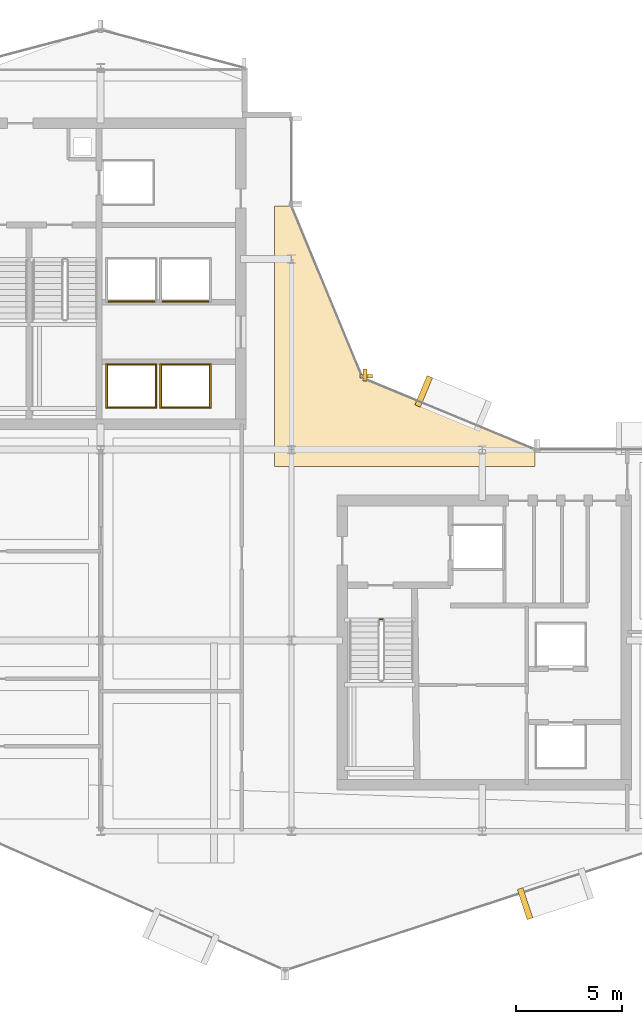
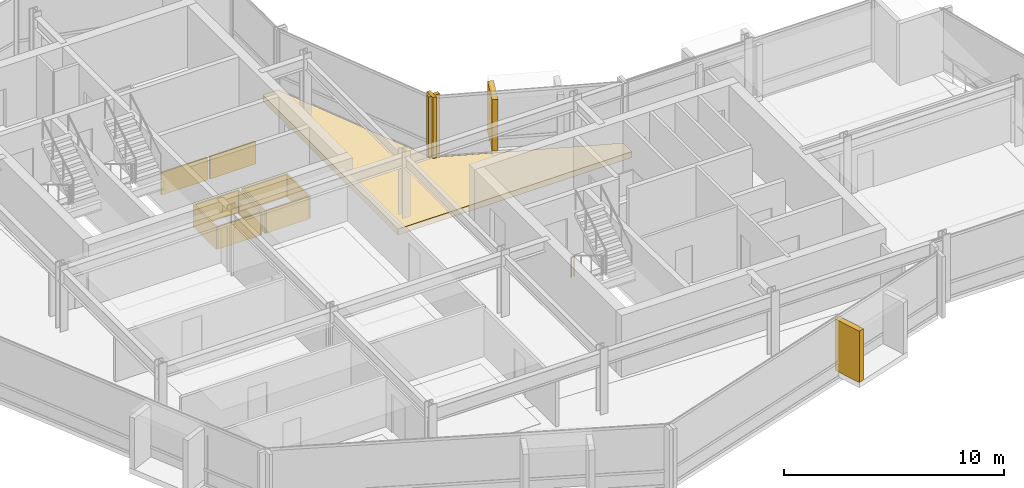
# One storey, part 25 of 27: 15 coverings, 1 railing.
"""IFC4 building model written with IfcOpenShell, lengths in metres."""

from ifc_helpers import new_model, si_unit, direction, frame, origin, origin_2d, place, context, subcontext, project, spatial, polyline, rectangle, circle, outline, extrude, material, layer, layer_set, type_object, element, save


model = new_model("IFC4")

# Units and contexts
model_context = context("Model", 3, precision=1e-05, world=origin(), true_north=direction((0.0, 1.0)))
body_context = subcontext(model_context, "Body", "Model", "MODEL_VIEW")
ifc_project = project(units=[si_unit("LENGTHUNIT", "METRE"), si_unit("AREAUNIT", "SQUARE_METRE"), si_unit("VOLUMEUNIT", "CUBIC_METRE"), si_unit("PLANEANGLEUNIT", "RADIAN"), si_unit("MASSUNIT", "GRAM", prefix="KILO")], contexts=[model_context])

# Site, building, storey
site_placement = place(None, origin())
site = spatial("IfcSite", under=ifc_project, at=site_placement, CompositionType="ELEMENT")
building_placement = place(site_placement, origin())
building = spatial("IfcBuilding", under=site, at=building_placement, Name="Solvaryn Broadcast Tower", CompositionType="ELEMENT")
storey_placement = place(building_placement, frame((0.0, 0.0, 181.60009765625)))
storey = spatial("IfcBuildingStorey", under=building, at=storey_placement, Name="L45", CompositionType="ELEMENT", Elevation=181.60009765625)

# Coverings
ifc_material_1 = material(Name="Fire-Rated Gypsum Shaftwall Liner", Category="concrete")
ifc_layer_1 = layer(ifc_material_1, 0.080078125)
ifc_layer_set_1 = layer_set([ifc_layer_1], Name="CV-SHAFT-LINER")
covering_type_1 = type_object("IfcCoveringType", Name="CV-SHAFT-LINER", PredefinedType="CLADDING", material=ifc_layer_set_1)
for number, where, z_axis, x_axis, name in (
    (1, (19.449951171875, 31.014892578125, 0.0), (0.0, 0.0, 1.0), (1.0, 0.0, 0.0), "L45 PH1 Hoistway Shaft Liner North"),
    (2, (19.449951171875, 28.985107421875, 0.0), (0.0, 0.0, 1.0), (1.0, 0.0, 0.0), "L45 PH1 Hoistway Shaft Liner South"),
):
    element("IfcCovering", number, at=place(storey_placement, frame(where, z_axis=z_axis, x_axis=x_axis)), inside=storey, type_object=covering_type_1, Name=name, PredefinedType="CLADDING", context=body_context, shape_type="SweptSolid", body=[
        extrude(rectangle(XDim=2.409912109375, YDim=0.080078125, at=origin_2d()), origin(), (0.0, 0.0, 1.0), 1.25),
    ])
for number, where, z_axis, x_axis, name in (
    (3, (20.614990234375, 30.0, 0.0), (0.0, 0.0, 1.0), (1.0, 0.0, 0.0), "L45 PH1 Hoistway Shaft Liner East"),
    (4, (18.284912109375, 30.0, 0.0), (0.0, 0.0, 1.0), (1.0, 0.0, 0.0), "L45 PH1 Hoistway Shaft Liner West"),
):
    element("IfcCovering", number, at=place(storey_placement, frame(where, z_axis=z_axis, x_axis=x_axis)), inside=storey, type_object=covering_type_1, Name=name, PredefinedType="CLADDING", context=body_context, shape_type="SweptSolid", body=[
        extrude(rectangle(XDim=0.080078125, YDim=2.110107421875, at=origin_2d()), origin(), (0.0, 0.0, 1.0), 1.25),
    ])
for number, where, z_axis, x_axis, name in (
    (5, (22.0, 31.014892578125, 0.0), (0.0, 0.0, 1.0), (1.0, 0.0, 0.0), "L45 PH2 Hoistway Shaft Liner North"),
    (6, (22.0, 28.985107421875, 0.0), (0.0, 0.0, 1.0), (1.0, 0.0, 0.0), "L45 PH2 Hoistway Shaft Liner South"),
):
    element("IfcCovering", number, at=place(storey_placement, frame(where, z_axis=z_axis, x_axis=x_axis)), inside=storey, type_object=covering_type_1, Name=name, PredefinedType="CLADDING", context=body_context, shape_type="SweptSolid", body=[
        extrude(rectangle(XDim=2.409912109375, YDim=0.080078125, at=origin_2d()), origin(), (0.0, 0.0, 1.0), 1.25),
    ])
for number, where, z_axis, x_axis, name in (
    (7, (23.1650390625, 30.0, 0.0), (0.0, 0.0, 1.0), (1.0, 0.0, 0.0), "L45 PH2 Hoistway Shaft Liner East"),
    (8, (20.8349609375, 30.0, 0.0), (0.0, 0.0, 1.0), (1.0, 0.0, 0.0), "L45 PH2 Hoistway Shaft Liner West"),
):
    element("IfcCovering", number, at=place(storey_placement, frame(where, z_axis=z_axis, x_axis=x_axis)), inside=storey, type_object=covering_type_1, Name=name, PredefinedType="CLADDING", context=body_context, shape_type="SweptSolid", body=[
        extrude(rectangle(XDim=0.080078125, YDim=2.110107421875, at=origin_2d()), origin(), (0.0, 0.0, 1.0), 1.25),
    ])
for number, where, z_axis, x_axis, name in (
    (9, (19.449951171875, 33.985107421875, 0.0), (0.0, 0.0, 1.0), (1.0, 0.0, 0.0), "L45 PH3 Hoistway Shaft Liner South"),
    (10, (22.0, 33.985107421875, 0.0), (0.0, 0.0, 1.0), (1.0, 0.0, 0.0), "L45 PH4 Hoistway Shaft Liner South"),
):
    element("IfcCovering", number, at=place(storey_placement, frame(where, z_axis=z_axis, x_axis=x_axis)), inside=storey, type_object=covering_type_1, Name=name, PredefinedType="CLADDING", context=body_context, shape_type="SweptSolid", body=[
        extrude(rectangle(XDim=2.409912109375, YDim=0.080078125, at=origin_2d()), origin(), (0.0, 0.0, 1.0), 1.25),
    ])
ifc_material_2 = material(Name="Glazed Architectural Terracotta Rainscreen Cladding", Category="masonry")
ifc_layer_2 = layer(ifc_material_2, 0.280029296875)
ifc_layer_set_2 = layer_set([ifc_layer_2], Name="CV-TC-CLAD")
covering_type_2 = type_object("IfcCoveringType", Name="CV-TC-CLAD", PredefinedType="CLADDING", material=ifc_layer_set_2)
for number, where, z_axis, x_axis, name in (
    (11, (38.01904296875, 5.584716796875, 0.27978515625), (0.0, 0.0, 1.0), (0.950244253402, 0.311505792684, 0.0), "L45 Projecting Stone Window Box Cheek 4-1"),
    (12, (33.241943359375, 29.751953125, 0.27978515625), (0.0, 0.0, 1.0), (-0.923879532511, 0.382683432365, 0.0), "L45 Projecting Stone Window Box Cheek 5-2"),
):
    element("IfcCovering", number, at=place(storey_placement, frame(where, z_axis=z_axis, x_axis=x_axis)), inside=storey, type_object=covering_type_2, Name=name, PredefinedType="CLADDING", context=body_context, shape_type="SweptSolid", body=[
        extrude(rectangle(XDim=0.280029296875, YDim=1.5, at=origin_2d()), origin(), (0.0, 0.0, 1.0), 2.860107421875),
    ])
ifc_material_3 = material(Name="Extruded Architectural Terracotta Fin", Category="masonry")
ifc_layer_3 = layer(ifc_material_3, 0.179931640625)
ifc_layer_set_3 = layer_set([ifc_layer_3], Name="CV-TC-FIN")
covering_type_3 = type_object("IfcCoveringType", Name="CV-TC-FIN", PredefinedType="USERDEFINED", material=ifc_layer_set_3)
covering_1_placement = place(storey_placement, frame((30.464599609375, 30.52294921875, 0.0), z_axis=(0.0, 0.0, 1.0), x_axis=(1.0, 0.0, 0.0)))
element("IfcCovering", 13, at=covering_1_placement, inside=storey, type_object=covering_type_3, Name="L45 Terracotta Vertical Fin FIN-L45-CN1-M01", ObjectType="FIN", PredefinedType="USERDEFINED", context=body_context, shape_type="SweptSolid", body=[
    extrude(rectangle(XDim=0.179931640625, YDim=0.580078125, at=origin_2d()), origin(), (0.0, 0.0, 1.0), 3.419921875),
])
covering_2_placement = place(storey_placement, frame((30.52294921875, 30.464599609375, 0.0), z_axis=(0.0, 0.0, 1.0), x_axis=(1.0, 0.0, 0.0)))
element("IfcCovering", 14, at=covering_2_placement, inside=storey, type_object=covering_type_3, Name="L45 Terracotta Vertical Fin FIN-L45-CN2-M00", ObjectType="FIN", PredefinedType="USERDEFINED", context=body_context, shape_type="SweptSolid", body=[
    extrude(rectangle(XDim=0.580078125, YDim=0.179931640625, at=origin_2d()), origin(), (0.0, 0.0, 1.0), 3.419921875),
])
ifc_material_4 = material(Name="Sculpted Architectural Terracotta Wave Fascia", Category="masonry")
ifc_layer_4 = layer(ifc_material_4, 0.340087890625)
ifc_layer_set_4 = layer_set([ifc_layer_4], Name="CV-WAVE-TRAY")
covering_type_4 = type_object("IfcCoveringType", Name="CV-WAVE-TRAY", PredefinedType="CLADDING", material=ifc_layer_set_4)
covering_3_placement = place(storey_placement, frame((0.0, 0.0, -0.300048828125)))
element("IfcCovering", 15, at=covering_3_placement, inside=storey, type_object=covering_type_4, Name="L45 Concave Canyon Floor Apron", PredefinedType="CLADDING", context=body_context, shape_type="SweptSolid", body=[
    extrude(outline(polyline([(26.199951171875, 26.199951171875), (38.5, 26.199951171875), (38.5, 27.0), (30.367919921875, 30.367919921875), (27.0, 38.5), (26.199951171875, 38.5), (26.199951171875, 26.199951171875)])), origin(), (0.0, 0.0, 1.0), 0.329833984375),
])

# Railing
ifc_material_5 = material(Name="Painted Steel Stair Well Guard", Category="steel")
railing_type = type_object("IfcRailingType", Name="RL-STAIR-GUARD", PredefinedType="BALUSTRADE", material=ifc_material_5)
railing_placement = place(storey_placement, frame((31.159912109375, 19.010009765625, 0.0)))
element("IfcRailing", 16, at=railing_placement, inside=storey, type_object=railing_type, Name="L45 ST3 stair guard 4", PredefinedType="BALUSTRADE", context=body_context, shape_type="SweptSolid", body=[
    extrude(circle(Radius=0.02392578125, at=origin_2d()), frame((0.0, 0.0, 1.076171875), z_axis=(1.0, 0.0, 0.0), x_axis=(0.0, 1.0, 0.0)), (0.0, 0.0, 1.0), 0.150146484375),
    extrude(circle(Radius=0.02099609375, at=origin_2d()), origin(), (0.0, 0.0, 1.0), 1.052001953125),
    extrude(circle(Radius=0.02099609375, at=origin_2d()), frame((0.150146484375, 0.0, 0.0)), (0.0, 0.0, 1.0), 1.052001953125),
])

save(model, "model.ifc")
